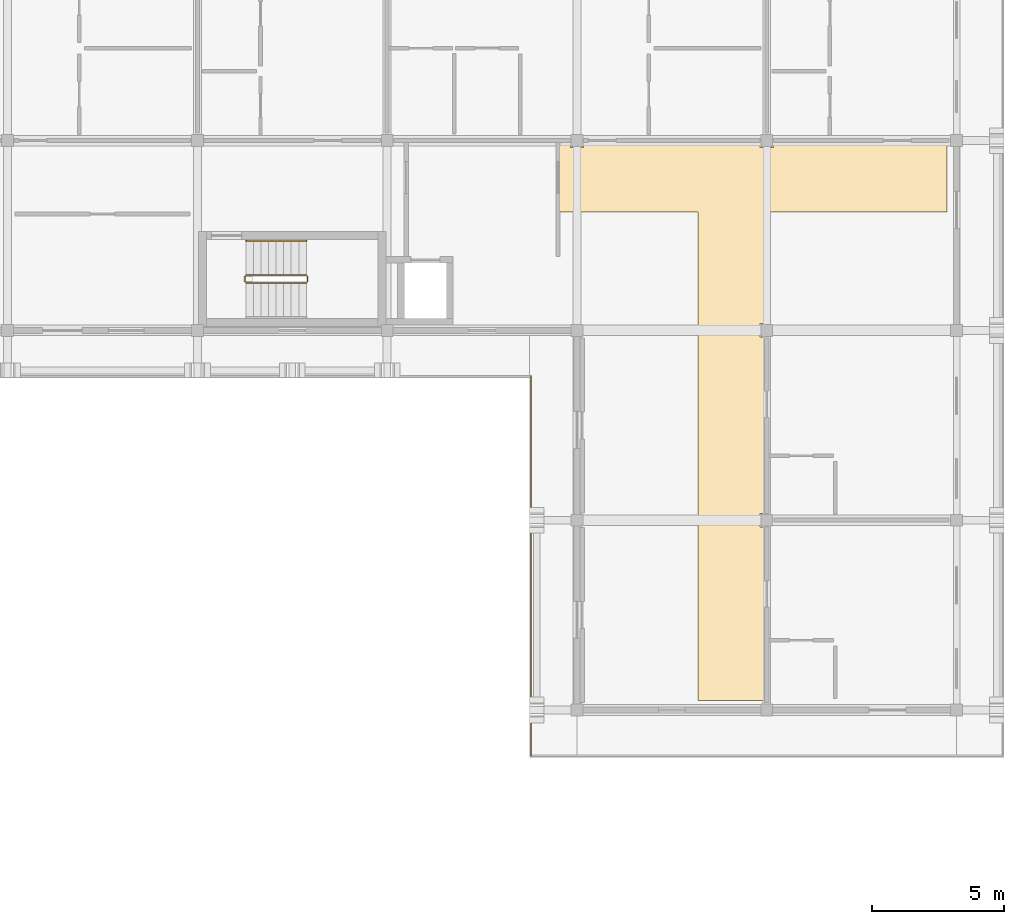
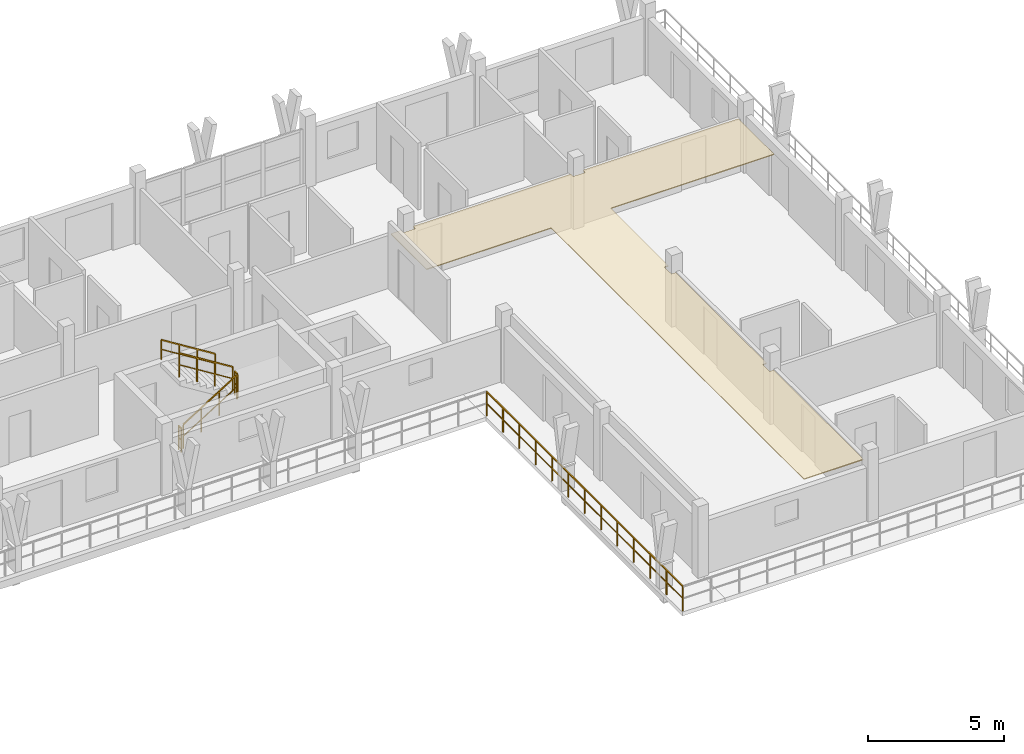
# One storey, part 44 of 45: 6 railings, 1 covering.
"""IFC4 building model written with IfcOpenShell, lengths in metres."""

from ifc_helpers import new_model, si_unit, direction, frame, origin, origin_2d, place, context, subcontext, project, spatial, polyline, rectangle, outline, extrude, material, layer, layer_set, type_object, element, save


model = new_model("IFC4")

# Units and contexts
model_context = context("Model", 3, precision=1e-05, world=origin(), true_north=direction((0.0, 1.0)))
body_context = subcontext(model_context, "Body", "Model", "MODEL_VIEW")
ifc_project = project(units=[si_unit("LENGTHUNIT", "METRE"), si_unit("AREAUNIT", "SQUARE_METRE"), si_unit("VOLUMEUNIT", "CUBIC_METRE"), si_unit("PLANEANGLEUNIT", "RADIAN"), si_unit("MASSUNIT", "GRAM", prefix="KILO")], contexts=[model_context])

# Site, building, storey
site_placement = place(None, origin())
site = spatial("IfcSite", under=ifc_project, at=site_placement, CompositionType="ELEMENT")
building_placement = place(site_placement, origin())
building = spatial("IfcBuilding", under=site, at=building_placement, Name="Suanplinth Sawtooth Commons", CompositionType="ELEMENT")
storey_placement = place(building_placement, frame((0.0, 0.0, 38.0)))
storey = spatial("IfcBuildingStorey", under=building, at=storey_placement, Name="L11", CompositionType="ELEMENT", Elevation=38.0)

# Covering
ifc_material_1 = material(Name="Mineral fibre acoustic tile")
ifc_layer = layer(ifc_material_1, 0.0400390625, Name="Perforated mineral-fibre acoustic suspended ceiling")
ifc_layer_set = layer_set([ifc_layer], Name="Mineral fibre acoustic tile")
covering_type = type_object("IfcCoveringType", Name="CV-CE01", PredefinedType="CEILING", material=ifc_layer_set)
covering_placement = place(storey_placement, frame((0.0, 0.0, 2.3798828125)))
element("IfcCovering", 1, at=covering_placement, inside=storey, type_object=covering_type, Name="L11 Block B Corridor Acoustic Ceiling", PredefinedType="CEILING", context=body_context, shape_type="SweptSolid", body=[
    extrude(outline(polyline([(172.544921875, 115.1201171875), (172.544921875, 114.945068359375), (173.054931640625, 114.945068359375), (173.054931640625, 115.1201171875), (179.7451171875, 115.1201171875), (179.7451171875, 114.945068359375), (180.2548828125, 114.945068359375), (180.2548828125, 115.1201171875), (186.840087890625, 115.1201171875), (186.840087890625, 112.5), (179.919921875, 112.5), (179.919921875, 108.2548828125), (179.7451171875, 108.2548828125), (179.7451171875, 107.7451171875), (179.919921875, 107.7451171875), (179.919921875, 101.054931640625), (179.7451171875, 101.054931640625), (179.7451171875, 100.544921875), (179.919921875, 100.544921875), (179.919921875, 93.9599609375), (177.39990234375, 93.9599609375), (177.39990234375, 112.5), (172.1201171875, 112.5), (172.1201171875, 115.1201171875), (172.544921875, 115.1201171875)])), origin(), (0.0, 0.0, 1.0), 0.0400390625),
])

# Railings
ifc_material_2 = material(Name="Powder-coated galvanized steel", Category="steel")
railing_type_1 = type_object("IfcRailingType", Name="GR-01", PredefinedType="BALUSTRADE", material=ifc_material_2)
railing_1_placement = place(storey_placement, frame((171.06005859375, 91.860107421875, 0.0)))
element("IfcRailing", 2, at=railing_1_placement, inside=storey, type_object=railing_type_1, Name="L11 Block B Perimeter Balustrade 1", PredefinedType="BALUSTRADE", context=body_context, shape_type="SweptSolid", body=[
    extrude(rectangle(XDim=0.048095703125, YDim=0.048095703125, at=origin_2d()), frame((0.0, 0.0, 1.09619140625), z_axis=(0.0, 1.0, 0.0), x_axis=(-1.0, 0.0, 0.0)), (0.0, 0.0, 1.0), 14.39990234375),
    extrude(rectangle(XDim=0.03369140625, YDim=0.03369140625, at=origin_2d()), frame((0.0, 0.0, 0.56005859375), z_axis=(0.0, 1.0, 0.0), x_axis=(-1.0, 0.0, 0.0)), (0.0, 0.0, 1.0), 14.39990234375),
    extrude(rectangle(XDim=0.0419921875, YDim=0.0419921875, at=origin_2d()), origin(), (0.0, 0.0, 1.0), 1.072021484375),
    extrude(rectangle(XDim=0.0419921875, YDim=0.0419921875, at=origin_2d()), frame((0.0, 1.199951171875, 0.0)), (0.0, 0.0, 1.0), 1.072021484375),
    extrude(rectangle(XDim=0.0419921875, YDim=0.0419921875, at=origin_2d()), frame((0.0, 2.39990234375, 0.0)), (0.0, 0.0, 1.0), 1.072021484375),
    extrude(rectangle(XDim=0.0419921875, YDim=0.0419921875, at=origin_2d()), frame((0.0, 3.60009765625, 0.0)), (0.0, 0.0, 1.0), 1.072021484375),
    extrude(rectangle(XDim=0.0419921875, YDim=0.0419921875, at=origin_2d()), frame((0.0, 4.800048828125, 0.0)), (0.0, 0.0, 1.0), 1.072021484375),
    extrude(rectangle(XDim=0.0419921875, YDim=0.0419921875, at=origin_2d()), frame((0.0, 6.0, 0.0)), (0.0, 0.0, 1.0), 1.072021484375),
    extrude(rectangle(XDim=0.0419921875, YDim=0.0419921875, at=origin_2d()), frame((0.0, 7.199951171875, 0.0)), (0.0, 0.0, 1.0), 1.072021484375),
    extrude(rectangle(XDim=0.0419921875, YDim=0.0419921875, at=origin_2d()), frame((0.0, 8.39990234375, 0.0)), (0.0, 0.0, 1.0), 1.072021484375),
    extrude(rectangle(XDim=0.0419921875, YDim=0.0419921875, at=origin_2d()), frame((0.0, 9.599853515625, 0.0)), (0.0, 0.0, 1.0), 1.072021484375),
    extrude(rectangle(XDim=0.0419921875, YDim=0.0419921875, at=origin_2d()), frame((0.0, 10.7998046875, 0.0)), (0.0, 0.0, 1.0), 1.072021484375),
    extrude(rectangle(XDim=0.0419921875, YDim=0.0419921875, at=origin_2d()), frame((0.0, 12.0, 0.0)), (0.0, 0.0, 1.0), 1.072021484375),
    extrude(rectangle(XDim=0.0419921875, YDim=0.0419921875, at=origin_2d()), frame((0.0, 13.199951171875, 0.0)), (0.0, 0.0, 1.0), 1.072021484375),
    extrude(rectangle(XDim=0.0419921875, YDim=0.0419921875, at=origin_2d()), frame((0.0, 14.39990234375, 0.0)), (0.0, 0.0, 1.0), 1.072021484375),
])
ifc_material_3 = material(Name="Stainless steel Grade 304", Category="steel")
railing_type_2 = type_object("IfcRailingType", Name="GR-04", PredefinedType="GUARDRAIL", material=ifc_material_3)
railing_2_placement = place(storey_placement, frame((160.25, 109.800048828125, 0.177734375)))
element("IfcRailing", 3, at=railing_2_placement, inside=storey, type_object=railing_type_2, Name="L11 ST-E2 Guard 1", PredefinedType="GUARDRAIL", context=body_context, shape_type="SweptSolid", body=[
    extrude(rectangle(XDim=0.048095703125, YDim=0.048095703125, at=origin_2d()), frame((0.0, 0.0, 1.076171875), z_axis=(0.848442045328, 0.0, 0.529288291689), x_axis=(0.0, 1.0, 0.0)), (0.0, 0.0, 1.0), 2.687255859375),
    extrude(rectangle(XDim=0.03369140625, YDim=0.03369140625, at=origin_2d()), frame((0.0, 0.0, 0.550048828125), z_axis=(0.848442045328, 0.0, 0.529288291689), x_axis=(0.0, 1.0, 0.0)), (0.0, 0.0, 1.0), 2.687255859375),
    extrude(rectangle(XDim=0.0419921875, YDim=0.0419921875, at=origin_2d()), origin(), (0.0, 0.0, 1.0), 1.052001953125),
    extrude(rectangle(XDim=0.0419921875, YDim=0.0419921875, at=origin_2d()), frame((0.760009765625, 0.0, 0.47412109375)), (0.0, 0.0, 1.0), 1.052001953125),
    extrude(rectangle(XDim=0.0419921875, YDim=0.0419921875, at=origin_2d()), frame((1.52001953125, 0.0, 0.9482421875)), (0.0, 0.0, 1.0), 1.052001953125),
    extrude(rectangle(XDim=0.0419921875, YDim=0.0419921875, at=origin_2d()), frame((2.280029296875, 0.0, 1.42236328125)), (0.0, 0.0, 1.0), 1.052001953125),
])
railing_3_placement = place(storey_placement, frame((162.580078125, 109.85009765625, 1.60009765625)))
element("IfcRailing", 4, at=railing_3_placement, inside=storey, type_object=railing_type_2, Name="L11 ST-E2 Guard 2", PredefinedType="GUARDRAIL", context=body_context, shape_type="SweptSolid", body=[
    extrude(rectangle(XDim=0.048095703125, YDim=0.048095703125, at=origin_2d()), frame((0.0, 0.0, 1.076171875), z_axis=(0.0, 1.0, 0.0), x_axis=(-1.0, 0.0, 0.0)), (0.0, 0.0, 1.0), 0.199951171875),
    extrude(rectangle(XDim=0.03369140625, YDim=0.03369140625, at=origin_2d()), frame((0.0, 0.0, 0.550048828125), z_axis=(0.0, 1.0, 0.0), x_axis=(-1.0, 0.0, 0.0)), (0.0, 0.0, 1.0), 0.199951171875),
    extrude(rectangle(XDim=0.0419921875, YDim=0.0419921875, at=origin_2d()), origin(), (0.0, 0.0, 1.0), 1.052001953125),
    extrude(rectangle(XDim=0.0419921875, YDim=0.0419921875, at=origin_2d()), frame((0.0, 0.199951171875, 0.0)), (0.0, 0.0, 1.0), 1.052001953125),
])
railing_4_placement = place(storey_placement, frame((162.530029296875, 110.10009765625, 1.77783203125)))
element("IfcRailing", 5, at=railing_4_placement, inside=storey, type_object=railing_type_2, Name="L11 ST-E2 Guard 3", PredefinedType="GUARDRAIL", context=body_context, shape_type="SweptSolid", body=[
    extrude(rectangle(XDim=0.048095703125, YDim=0.048095703125, at=origin_2d()), frame((0.0, 0.0, 1.076171875), z_axis=(-0.848482842525, 0.0, 0.529222888715), x_axis=(0.0, -1.0, 0.0)), (0.0, 0.0, 1.0), 2.687255859375),
    extrude(rectangle(XDim=0.03369140625, YDim=0.03369140625, at=origin_2d()), frame((0.0, 0.0, 0.550048828125), z_axis=(-0.848482842525, 0.0, 0.529222888715), x_axis=(0.0, -1.0, 0.0)), (0.0, 0.0, 1.0), 2.687255859375),
    extrude(rectangle(XDim=0.0419921875, YDim=0.0419921875, at=origin_2d()), origin(), (0.0, 0.0, 1.0), 1.052001953125),
    extrude(rectangle(XDim=0.0419921875, YDim=0.0419921875, at=origin_2d()), frame((-0.760009765625, 0.0, 0.47412109375)), (0.0, 0.0, 1.0), 1.052001953125),
    extrude(rectangle(XDim=0.0419921875, YDim=0.0419921875, at=origin_2d()), frame((-1.52001953125, 0.0, 0.947998046875)), (0.0, 0.0, 1.0), 1.052001953125),
    extrude(rectangle(XDim=0.0419921875, YDim=0.0419921875, at=origin_2d()), frame((-2.280029296875, 0.0, 1.422119140625)), (0.0, 0.0, 1.0), 1.052001953125),
])
railing_5_placement = place(storey_placement, frame((160.199951171875, 109.85009765625, 0.0)))
element("IfcRailing", 6, at=railing_5_placement, inside=storey, type_object=railing_type_2, Name="L11 ST-E2 Guard 4", PredefinedType="GUARDRAIL", context=body_context, shape_type="SweptSolid", body=[
    extrude(rectangle(XDim=0.048095703125, YDim=0.048095703125, at=origin_2d()), frame((0.0, 0.0, 1.076171875), z_axis=(0.0, 1.0, 0.0), x_axis=(-1.0, 0.0, 0.0)), (0.0, 0.0, 1.0), 0.199951171875),
    extrude(rectangle(XDim=0.03369140625, YDim=0.03369140625, at=origin_2d()), frame((0.0, 0.0, 0.550048828125), z_axis=(0.0, 1.0, 0.0), x_axis=(-1.0, 0.0, 0.0)), (0.0, 0.0, 1.0), 0.199951171875),
    extrude(rectangle(XDim=0.0419921875, YDim=0.0419921875, at=origin_2d()), origin(), (0.0, 0.0, 1.0), 1.052001953125),
    extrude(rectangle(XDim=0.0419921875, YDim=0.0419921875, at=origin_2d()), frame((0.0, 0.199951171875, 0.0)), (0.0, 0.0, 1.0), 1.052001953125),
])
railing_type_3 = type_object("IfcRailingType", Name="HR-01", PredefinedType="HANDRAIL", material=ifc_material_3)
railing_6_placement = place(storey_placement, frame((162.530029296875, 111.39990234375, 1.77783203125)))
element("IfcRailing", 7, at=railing_6_placement, inside=storey, type_object=railing_type_3, Name="L11 ST-E2 Handrail 2", PredefinedType="HANDRAIL", context=body_context, shape_type="SweptSolid", body=[
    extrude(rectangle(XDim=0.048095703125, YDim=0.048095703125, at=origin_2d()), frame((0.0, 0.0, 0.8759765625), z_axis=(-0.848482842525, 0.0, 0.529222888715), x_axis=(0.0, -1.0, 0.0)), (0.0, 0.0, 1.0), 2.687255859375),
    extrude(rectangle(XDim=0.03369140625, YDim=0.03369140625, at=origin_2d()), frame((0.0, 0.0, 0.449951171875), z_axis=(-0.848482842525, 0.0, 0.529222888715), x_axis=(0.0, -1.0, 0.0)), (0.0, 0.0, 1.0), 2.687255859375),
    extrude(rectangle(XDim=0.0419921875, YDim=0.0419921875, at=origin_2d()), origin(), (0.0, 0.0, 1.0), 0.851806640625),
    extrude(rectangle(XDim=0.0419921875, YDim=0.0419921875, at=origin_2d()), frame((-0.760009765625, 0.0, 0.47412109375)), (0.0, 0.0, 1.0), 0.851806640625),
    extrude(rectangle(XDim=0.0419921875, YDim=0.0419921875, at=origin_2d()), frame((-1.52001953125, 0.0, 0.947998046875)), (0.0, 0.0, 1.0), 0.851806640625),
    extrude(rectangle(XDim=0.0419921875, YDim=0.0419921875, at=origin_2d()), frame((-2.280029296875, 0.0, 1.422119140625)), (0.0, 0.0, 1.0), 0.851806640625),
])

save(model, "model.ifc")
